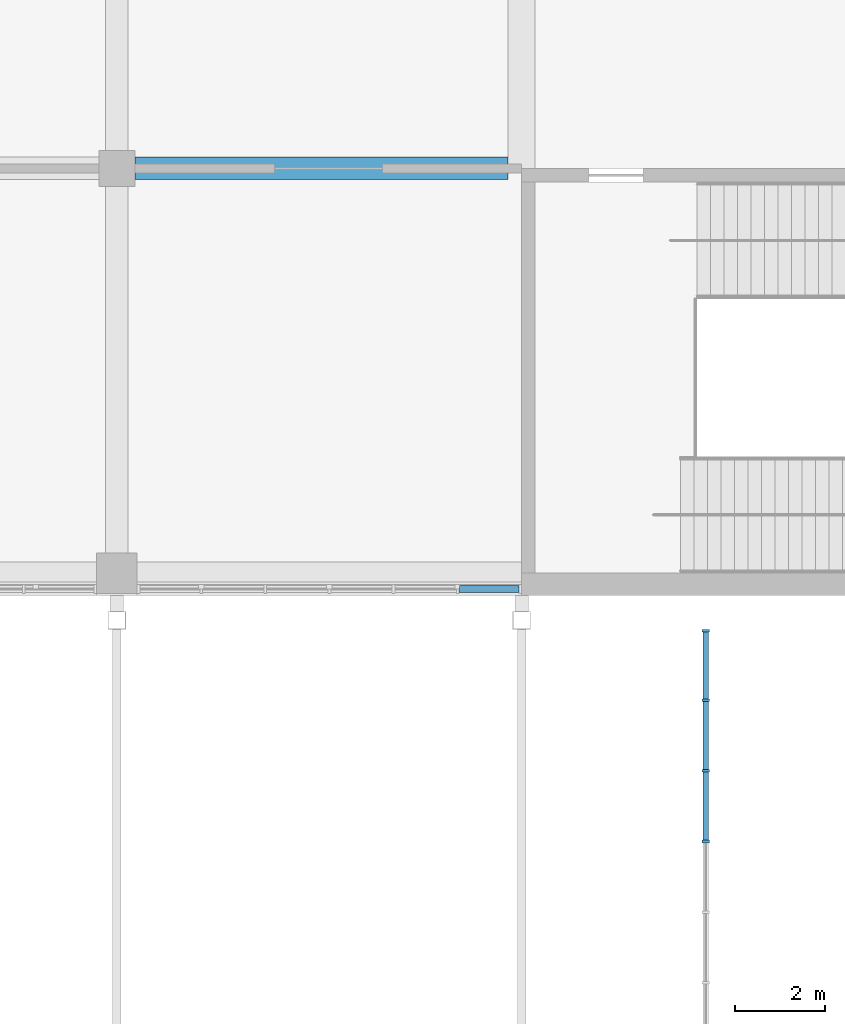
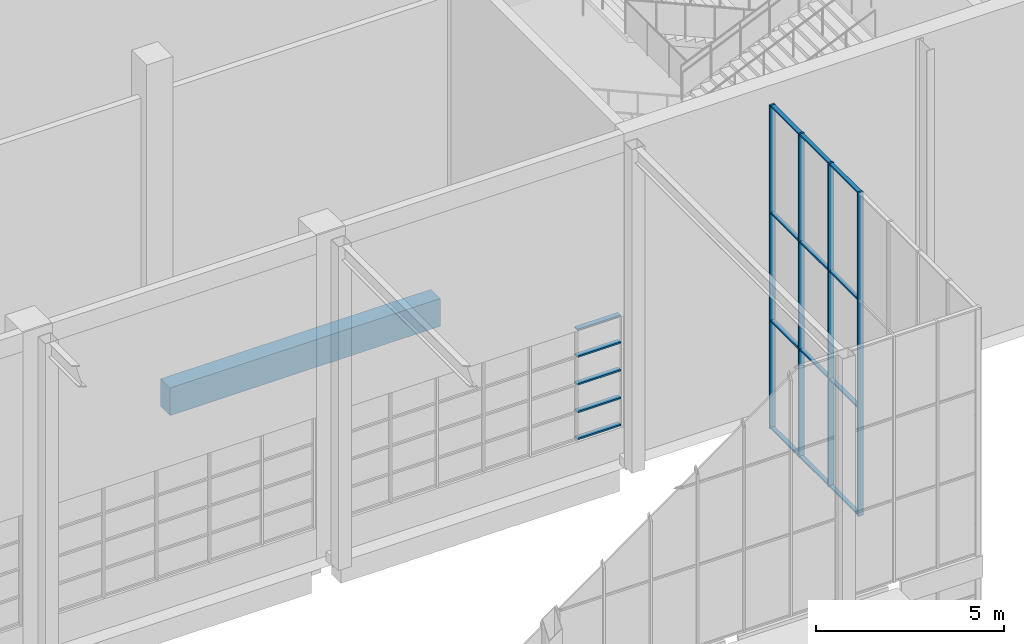
# One storey, part 40 of 182: 21 members, 1 beam, 2 elements without a shape of their own.
"""IFC4 building model written with IfcOpenShell, lengths in metres."""

from ifc_helpers import new_model, si_unit, direction, frame, origin, origin_2d, place, context, subcontext, project, spatial, rectangle, extrude, material, material_profile, profile_set, type_object, element, aggregate, save


model = new_model("IFC4")

# Units and contexts
model_context = context("Model", 3, precision=1e-05, world=origin(), true_north=direction((0.0, 1.0)))
body_context = subcontext(model_context, "Body", "Model", "MODEL_VIEW")
ifc_project = project(units=[si_unit("LENGTHUNIT", "METRE"), si_unit("AREAUNIT", "SQUARE_METRE"), si_unit("VOLUMEUNIT", "CUBIC_METRE"), si_unit("PLANEANGLEUNIT", "RADIAN"), si_unit("MASSUNIT", "GRAM", prefix="KILO")], contexts=[model_context])

# Site, building, storey
site_placement = place(None, origin())
site = spatial("IfcSite", under=ifc_project, at=site_placement, CompositionType="ELEMENT")
building_placement = place(site_placement, origin())
building = spatial("IfcBuilding", under=site, at=building_placement, Name="Silverbay Arena", CompositionType="ELEMENT")
storey_placement = place(building_placement, frame((0.0, 0.0, 11.5)))
storey = spatial("IfcBuildingStorey", under=building, at=storey_placement, Name="L02", CompositionType="ELEMENT", Elevation=11.5)

# Curtain wall, members
ifc_material_1 = material(Name="Aluminium framed curtain wall", Category="aluminium")
curtain_wall_type_1 = type_object("IfcCurtainWallType", Name="Curtain wall 11000 x 10500", PredefinedType="NOTDEFINED", material=ifc_material_1)
curtain_wall_1_placement = place(storey_placement, origin())
curtain_wall_1 = element("IfcCurtainWall", 1, at=curtain_wall_1_placement, inside=storey, type_object=curtain_wall_type_1, Name="South entrance hall S1 glazing SB", PredefinedType="NOTDEFINED")
ifc_material_2 = material(Name="Aluminium", Category="aluminium")
ifc_material_profile_1 = material_profile(ifc_material_2, rectangle(XDim=0.159912109375, YDim=0.06005859375, at=origin_2d()), Name="Mullion 60 x 160")
ifc_profile_set_1 = profile_set([ifc_material_profile_1], Name="Aluminium")
member_type_1 = type_object("IfcMemberType", Name="Mullion 60 x 160", PredefinedType="MULLION", material=ifc_profile_set_1)
member_1_placement = place(storey_placement, frame((148.090087890625, 12.03564453125, 0.0), z_axis=(0.0, 0.0, 1.0), x_axis=(-1.0, 0.0, 0.0)))
member_1 = element("IfcMember", 2, at=member_1_placement, type_object=member_type_1, Name="CW37 mullion 5", PredefinedType="MULLION", context=body_context, shape_type="SweptSolid", body=[
    extrude(rectangle(XDim=0.159912109375, YDim=0.06005859375, at=origin_2d()), origin(), (0.0, 0.0, 1.0), 10.5),
])
member_2_placement = place(storey_placement, frame((148.090087890625, 13.607177734375, 0.0), z_axis=(0.0, 0.0, 1.0), x_axis=(-1.0, 0.0, 0.0)))
member_2 = element("IfcMember", 3, at=member_2_placement, type_object=member_type_1, Name="CW37 mullion 6", PredefinedType="MULLION", context=body_context, shape_type="SweptSolid", body=[
    extrude(rectangle(XDim=0.159912109375, YDim=0.06005859375, at=origin_2d()), origin(), (0.0, 0.0, 1.0), 10.5),
])
member_3_placement = place(storey_placement, frame((148.090087890625, 15.178466796875, 0.0), z_axis=(0.0, 0.0, 1.0), x_axis=(-1.0, 0.0, 0.0)))
member_3 = element("IfcMember", 4, at=member_3_placement, type_object=member_type_1, Name="CW37 mullion 7", PredefinedType="MULLION", context=body_context, shape_type="SweptSolid", body=[
    extrude(rectangle(XDim=0.159912109375, YDim=0.06005859375, at=origin_2d()), origin(), (0.0, 0.0, 1.0), 10.5),
])
member_4_placement = place(storey_placement, frame((148.090087890625, 16.719970703125, 0.0), z_axis=(0.0, 0.0, 1.0), x_axis=(-1.0, 0.0, 0.0)))
member_4 = element("IfcMember", 5, at=member_4_placement, type_object=member_type_1, Name="CW37 mullion 8", PredefinedType="MULLION", context=body_context, shape_type="SweptSolid", body=[
    extrude(rectangle(XDim=0.159912109375, YDim=0.06005859375, at=origin_2d()), origin(), (0.0, 0.0, 1.0), 10.5),
])

# Beam
ifc_material_3 = material(Name="Concrete Grade C45", Category="concrete")
ifc_material_profile_2 = material_profile(ifc_material_3, rectangle(XDim=0.5, YDim=0.89990234375, at=origin_2d()), Name="RC 500x900")
ifc_profile_set_2 = profile_set([ifc_material_profile_2], Name="Concrete Grade C45")
beam_type = type_object("IfcBeamType", Name="RC beam 500x900", PredefinedType="BEAM", material=ifc_profile_set_2)
beam_placement = place(storey_placement, frame((135.39990234375, 27.0, -0.800048828125), z_axis=(1.0, 0.0, 0.0), x_axis=(0.0, 1.0, 0.0)))
element("IfcBeam", 6, at=beam_placement, inside=storey, type_object=beam_type, Name="Floor beam L02 015", PredefinedType="BEAM", context=body_context, shape_type="SweptSolid", body=[
    extrude(rectangle(XDim=0.5, YDim=0.89990234375, at=origin_2d()), origin(), (0.0, 0.0, 1.0), 8.300048828125),
])

# Member
ifc_material_4 = material(Name="Aluminium", Category="aluminium")
ifc_material_profile_3 = material_profile(ifc_material_4, rectangle(XDim=0.1201171875, YDim=0.050048828125, at=origin_2d()), Name="Transom 50 x 120")
ifc_profile_set_3 = profile_set([ifc_material_profile_3], Name="Aluminium")
member_type_2 = type_object("IfcMemberType", Name="Transom 50 x 120", PredefinedType="USERDEFINED", material=ifc_profile_set_3)
member_5_placement = place(storey_placement, frame((148.090087890625, 12.065673828125, 0.02490234375), z_axis=(0.0, 1.0, 0.0), x_axis=(-1.0, 0.0, 0.0)))
member_5 = element("IfcMember", 7, at=member_5_placement, type_object=member_type_2, Name="CW37 transom 5.1", ObjectType="TRANSOM", PredefinedType="USERDEFINED", context=body_context, shape_type="SweptSolid", body=[
    extrude(rectangle(XDim=0.1201171875, YDim=0.050048828125, at=origin_2d()), origin(), (0.0, 0.0, 1.0), 1.511474609375),
])

member_6_placement = place(storey_placement, frame((148.090087890625, 12.065673828125, 3.5), z_axis=(0.0, 1.0, 0.0), x_axis=(-1.0, 0.0, 0.0)))
member_6 = element("IfcMember", 8, at=member_6_placement, type_object=member_type_2, Name="CW37 transom 5.2", ObjectType="TRANSOM", PredefinedType="USERDEFINED", context=body_context, shape_type="SweptSolid", body=[
    extrude(rectangle(XDim=0.1201171875, YDim=0.050048828125, at=origin_2d()), origin(), (0.0, 0.0, 1.0), 1.511474609375),
])

member_7_placement = place(storey_placement, frame((148.090087890625, 12.065673828125, 7.0), z_axis=(0.0, 1.0, 0.0), x_axis=(-1.0, 0.0, 0.0)))
member_7 = element("IfcMember", 9, at=member_7_placement, type_object=member_type_2, Name="CW37 transom 5.3", ObjectType="TRANSOM", PredefinedType="USERDEFINED", context=body_context, shape_type="SweptSolid", body=[
    extrude(rectangle(XDim=0.1201171875, YDim=0.050048828125, at=origin_2d()), origin(), (0.0, 0.0, 1.0), 1.511474609375),
])

member_8_placement = place(storey_placement, frame((148.090087890625, 12.065673828125, 10.47509765625), z_axis=(0.0, 1.0, 0.0), x_axis=(-1.0, 0.0, 0.0)))
member_8 = element("IfcMember", 10, at=member_8_placement, type_object=member_type_2, Name="CW37 transom 5.4", ObjectType="TRANSOM", PredefinedType="USERDEFINED", context=body_context, shape_type="SweptSolid", body=[
    extrude(rectangle(XDim=0.1201171875, YDim=0.050048828125, at=origin_2d()), origin(), (0.0, 0.0, 1.0), 1.511474609375),
])

member_9_placement = place(storey_placement, frame((148.090087890625, 13.63720703125, 0.02490234375), z_axis=(0.0, 1.0, 0.0), x_axis=(-1.0, 0.0, 0.0)))
member_9 = element("IfcMember", 11, at=member_9_placement, type_object=member_type_2, Name="CW37 transom 6.1", ObjectType="TRANSOM", PredefinedType="USERDEFINED", context=body_context, shape_type="SweptSolid", body=[
    extrude(rectangle(XDim=0.1201171875, YDim=0.050048828125, at=origin_2d()), origin(), (0.0, 0.0, 1.0), 1.511474609375),
])

member_10_placement = place(storey_placement, frame((148.090087890625, 13.63720703125, 3.5), z_axis=(0.0, 1.0, 0.0), x_axis=(-1.0, 0.0, 0.0)))
member_10 = element("IfcMember", 12, at=member_10_placement, type_object=member_type_2, Name="CW37 transom 6.2", ObjectType="TRANSOM", PredefinedType="USERDEFINED", context=body_context, shape_type="SweptSolid", body=[
    extrude(rectangle(XDim=0.1201171875, YDim=0.050048828125, at=origin_2d()), origin(), (0.0, 0.0, 1.0), 1.511474609375),
])

member_11_placement = place(storey_placement, frame((148.090087890625, 13.63720703125, 7.0), z_axis=(0.0, 1.0, 0.0), x_axis=(-1.0, 0.0, 0.0)))
member_11 = element("IfcMember", 13, at=member_11_placement, type_object=member_type_2, Name="CW37 transom 6.3", ObjectType="TRANSOM", PredefinedType="USERDEFINED", context=body_context, shape_type="SweptSolid", body=[
    extrude(rectangle(XDim=0.1201171875, YDim=0.050048828125, at=origin_2d()), origin(), (0.0, 0.0, 1.0), 1.511474609375),
])

member_12_placement = place(storey_placement, frame((148.090087890625, 13.63720703125, 10.47509765625), z_axis=(0.0, 1.0, 0.0), x_axis=(-1.0, 0.0, 0.0)))
member_12 = element("IfcMember", 14, at=member_12_placement, type_object=member_type_2, Name="CW37 transom 6.4", ObjectType="TRANSOM", PredefinedType="USERDEFINED", context=body_context, shape_type="SweptSolid", body=[
    extrude(rectangle(XDim=0.1201171875, YDim=0.050048828125, at=origin_2d()), origin(), (0.0, 0.0, 1.0), 1.511474609375),
])

member_13_placement = place(storey_placement, frame((148.090087890625, 15.20849609375, 0.02490234375), z_axis=(0.0, 1.0, 0.0), x_axis=(-1.0, 0.0, 0.0)))
member_13 = element("IfcMember", 15, at=member_13_placement, type_object=member_type_2, Name="CW37 transom 7.1", ObjectType="TRANSOM", PredefinedType="USERDEFINED", context=body_context, shape_type="SweptSolid", body=[
    extrude(rectangle(XDim=0.1201171875, YDim=0.050048828125, at=origin_2d()), origin(), (0.0, 0.0, 1.0), 1.4814453125),
])

member_14_placement = place(storey_placement, frame((148.090087890625, 15.20849609375, 3.5), z_axis=(0.0, 1.0, 0.0), x_axis=(-1.0, 0.0, 0.0)))
member_14 = element("IfcMember", 16, at=member_14_placement, type_object=member_type_2, Name="CW37 transom 7.2", ObjectType="TRANSOM", PredefinedType="USERDEFINED", context=body_context, shape_type="SweptSolid", body=[
    extrude(rectangle(XDim=0.1201171875, YDim=0.050048828125, at=origin_2d()), origin(), (0.0, 0.0, 1.0), 1.4814453125),
])

member_15_placement = place(storey_placement, frame((148.090087890625, 15.20849609375, 7.0), z_axis=(0.0, 1.0, 0.0), x_axis=(-1.0, 0.0, 0.0)))
member_15 = element("IfcMember", 17, at=member_15_placement, type_object=member_type_2, Name="CW37 transom 7.3", ObjectType="TRANSOM", PredefinedType="USERDEFINED", context=body_context, shape_type="SweptSolid", body=[
    extrude(rectangle(XDim=0.1201171875, YDim=0.050048828125, at=origin_2d()), origin(), (0.0, 0.0, 1.0), 1.4814453125),
])

member_16_placement = place(storey_placement, frame((148.090087890625, 15.20849609375, 10.47509765625), z_axis=(0.0, 1.0, 0.0), x_axis=(-1.0, 0.0, 0.0)))
member_16 = element("IfcMember", 18, at=member_16_placement, type_object=member_type_2, Name="CW37 transom 7.4", ObjectType="TRANSOM", PredefinedType="USERDEFINED", context=body_context, shape_type="SweptSolid", body=[
    extrude(rectangle(XDim=0.1201171875, YDim=0.050048828125, at=origin_2d()), origin(), (0.0, 0.0, 1.0), 1.4814453125),
])

aggregate(curtain_wall_1, [member_1, member_2, member_3, member_4, member_5, member_6, member_7, member_8, member_9, member_10, member_11, member_12, member_13, member_14, member_15, member_16])

# Curtain wall, members
ifc_material_5 = material(Name="Aluminium framed curtain wall", Category="aluminium")
curtain_wall_type_2 = type_object("IfcCurtainWallType", Name="Curtain wall 8550 x 3600", PredefinedType="NOTDEFINED", material=ifc_material_5)
curtain_wall_2_placement = place(storey_placement, origin())
curtain_wall_2 = element("IfcCurtainWall", 19, at=curtain_wall_2_placement, inside=storey, type_object=curtain_wall_type_2, Name="South curtain wall L02 bay 10", PredefinedType="NOTDEFINED")
ifc_material_6 = material(Name="Aluminium", Category="aluminium")
ifc_material_profile_4 = material_profile(ifc_material_6, rectangle(XDim=0.14990234375, YDim=0.050048828125, at=origin_2d()), Name="Transom 50 x 150")
ifc_profile_set_4 = profile_set([ifc_material_profile_4], Name="Aluminium")
member_type_3 = type_object("IfcMemberType", Name="Transom 50 x 150", PredefinedType="USERDEFINED", material=ifc_profile_set_4)
member_17_placement = place(storey_placement, frame((142.60498046875, 17.64990234375, 1.02490234375), z_axis=(1.0, 0.0, 0.0), x_axis=(0.0, 1.0, 0.0)))
member_17 = element("IfcMember", 20, at=member_17_placement, type_object=member_type_3, Name="CW10 transom 6.1", ObjectType="TRANSOM", PredefinedType="USERDEFINED", context=body_context, shape_type="SweptSolid", body=[
    extrude(rectangle(XDim=0.14990234375, YDim=0.050048828125, at=origin_2d()), origin(), (0.0, 0.0, 1.0), 1.3349609375),
])
member_18_placement = place(storey_placement, frame((142.60498046875, 17.64990234375, 1.89990234375), z_axis=(1.0, 0.0, 0.0), x_axis=(0.0, 1.0, 0.0)))
member_18 = element("IfcMember", 21, at=member_18_placement, type_object=member_type_3, Name="CW10 transom 6.2", ObjectType="TRANSOM", PredefinedType="USERDEFINED", context=body_context, shape_type="SweptSolid", body=[
    extrude(rectangle(XDim=0.14990234375, YDim=0.050048828125, at=origin_2d()), origin(), (0.0, 0.0, 1.0), 1.3349609375),
])
member_19_placement = place(storey_placement, frame((142.60498046875, 17.64990234375, 2.800048828125), z_axis=(1.0, 0.0, 0.0), x_axis=(0.0, 1.0, 0.0)))
member_19 = element("IfcMember", 22, at=member_19_placement, type_object=member_type_3, Name="CW10 transom 6.3", ObjectType="TRANSOM", PredefinedType="USERDEFINED", context=body_context, shape_type="SweptSolid", body=[
    extrude(rectangle(XDim=0.14990234375, YDim=0.050048828125, at=origin_2d()), origin(), (0.0, 0.0, 1.0), 1.3349609375),
])
member_20_placement = place(storey_placement, frame((142.60498046875, 17.64990234375, 3.699951171875), z_axis=(1.0, 0.0, 0.0), x_axis=(0.0, 1.0, 0.0)))
member_20 = element("IfcMember", 23, at=member_20_placement, type_object=member_type_3, Name="CW10 transom 6.4", ObjectType="TRANSOM", PredefinedType="USERDEFINED", context=body_context, shape_type="SweptSolid", body=[
    extrude(rectangle(XDim=0.14990234375, YDim=0.050048828125, at=origin_2d()), origin(), (0.0, 0.0, 1.0), 1.3349609375),
])
member_21_placement = place(storey_placement, frame((142.60498046875, 17.64990234375, 4.574951171875), z_axis=(1.0, 0.0, 0.0), x_axis=(0.0, 1.0, 0.0)))
member_21 = element("IfcMember", 24, at=member_21_placement, type_object=member_type_3, Name="CW10 transom 6.5", ObjectType="TRANSOM", PredefinedType="USERDEFINED", context=body_context, shape_type="SweptSolid", body=[
    extrude(rectangle(XDim=0.14990234375, YDim=0.050048828125, at=origin_2d()), origin(), (0.0, 0.0, 1.0), 1.3349609375),
])
aggregate(curtain_wall_2, [member_17, member_18, member_19, member_20, member_21])

save(model, "model.ifc")
